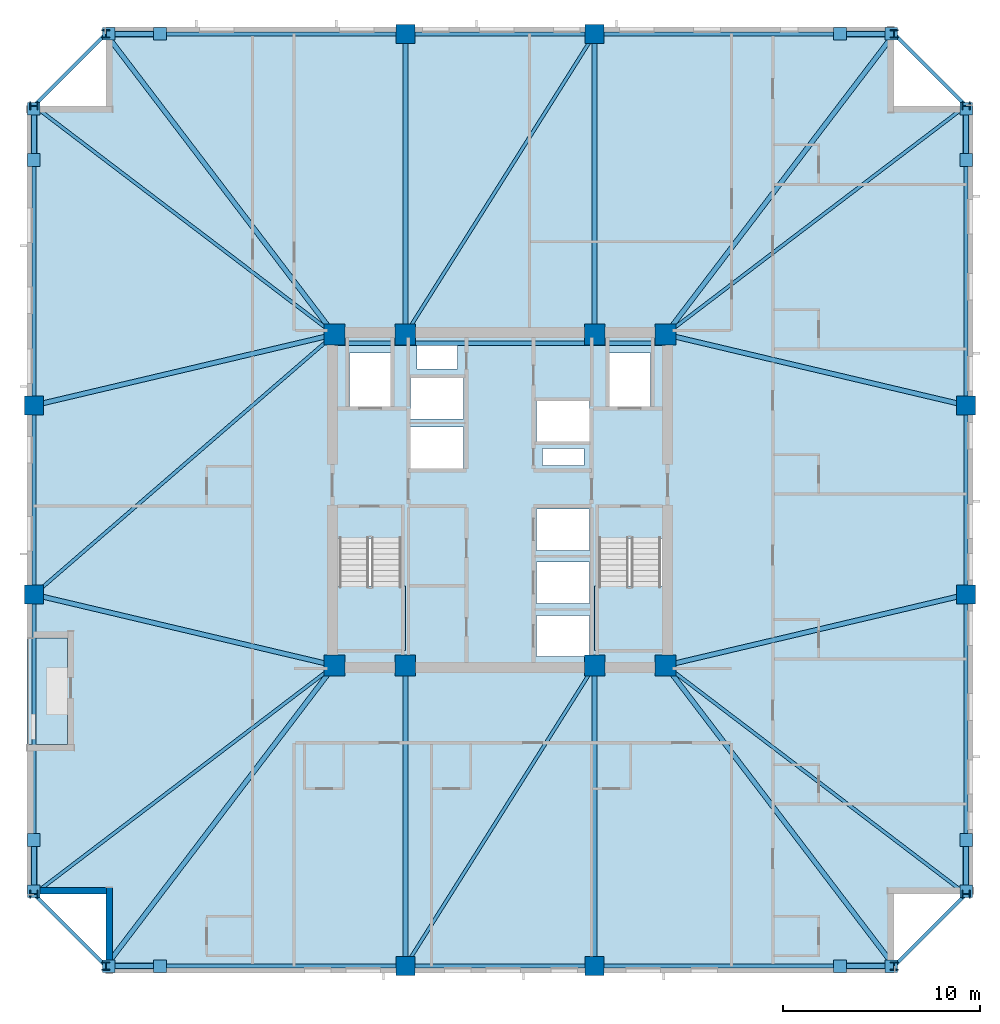
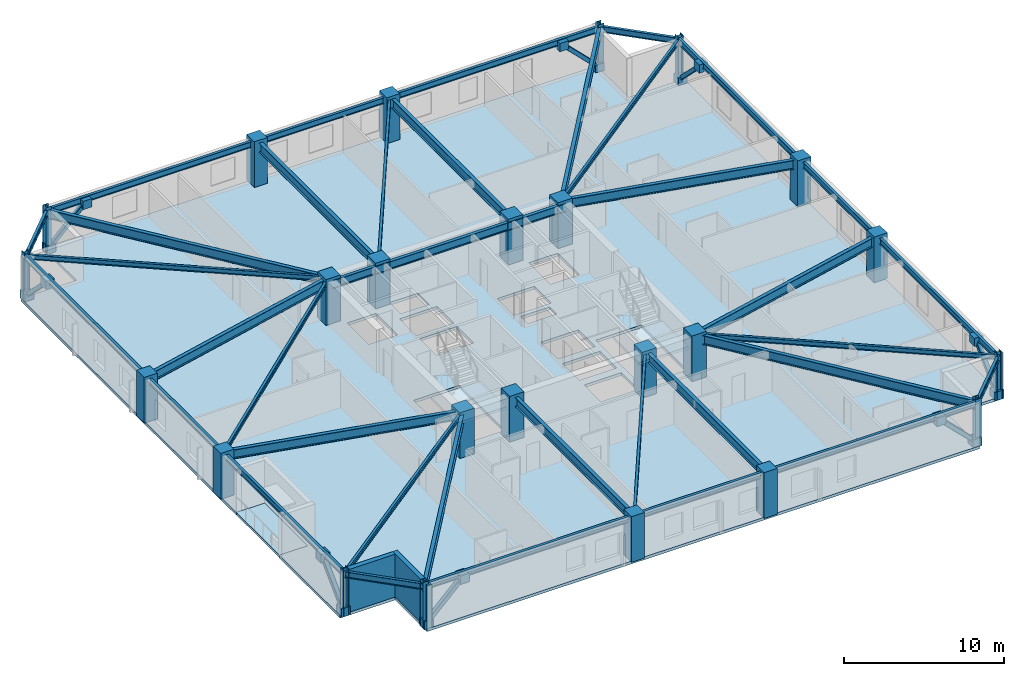
# One storey, part 1 of 11: 38 beams, 24 columns, 16 plates, 8 members, 4 slabs, 2 walls, 2 elements without a shape of their own.
"""IFC4 building model written with IfcOpenShell, lengths in metres."""

from ifc_helpers import new_model, si_unit, direction, frame, frame_2d, origin, origin_2d, place, context, subcontext, project, spatial, polyline, rectangle, hollow_rectangle, i_section, outline, extrude, material, layer, layer_set, material_profile, profile_set, type_object, element, aggregate, save


model = new_model("IFC4")

# Units and contexts
model_context = context("Model", 3, precision=1e-05, world=origin(), true_north=direction((0.0, 1.0)))
body_context = subcontext(model_context, "Body", "Model", "MODEL_VIEW")
ifc_project = project(units=[si_unit("LENGTHUNIT", "METRE"), si_unit("AREAUNIT", "SQUARE_METRE"), si_unit("VOLUMEUNIT", "CUBIC_METRE"), si_unit("PLANEANGLEUNIT", "RADIAN"), si_unit("MASSUNIT", "GRAM", prefix="KILO")], contexts=[model_context])

# Site, building, storey
site_placement = place(None, origin())
site = spatial("IfcSite", under=ifc_project, at=site_placement, CompositionType="ELEMENT")
building_placement = place(site_placement, origin())
building = spatial("IfcBuilding", under=site, at=building_placement, Name="Cairnveth Concourse Tower", CompositionType="ELEMENT")
storey_placement = place(building_placement, frame((0.0, 0.0, 130.5)))
storey = spatial("IfcBuildingStorey", under=building, at=storey_placement, Name="L35", CompositionType="ELEMENT", Elevation=130.5)

# Columns
ifc_material_1 = material(Name="Concrete N65 (65 MPa)", Category="concrete")
ifc_material_profile_1 = material_profile(ifc_material_1, rectangle(XDim=1.050048828125, YDim=1.050048828125, at=origin_2d()), Name="RC-COL-1050x1050")
ifc_profile_set_1 = profile_set([ifc_material_profile_1], Name="Concrete N65 (65 MPa)")
column_type_1 = type_object("IfcColumnType", Name="CORE COLUMN 1050X1050", PredefinedType="COLUMN", material=ifc_profile_set_1)
for number, where, z_axis, x_axis, name in (
    (1, (43.60009765625, 30.60009765625, 0.0), (0.0, 0.0, 1.0), (1.0, 0.0, 0.0), "Column CC1 L35"),
    (2, (47.199951171875, 30.60009765625, 0.0), (0.0, 0.0, 1.0), (1.0, 0.0, 0.0), "Column CC2 L35"),
    (3, (56.800048828125, 30.60009765625, 0.0), (0.0, 0.0, 1.0), (1.0, 0.0, 0.0), "Column CC3 L35"),
    (4, (60.39990234375, 30.60009765625, 0.0), (0.0, 0.0, 1.0), (1.0, 0.0, 0.0), "Column CC4 L35"),
    (5, (43.60009765625, 47.39990234375, 0.0), (0.0, 0.0, 1.0), (1.0, 0.0, 0.0), "Column CC5 L35"),
    (6, (47.199951171875, 47.39990234375, 0.0), (0.0, 0.0, 1.0), (1.0, 0.0, 0.0), "Column CC6 L35"),
    (7, (56.800048828125, 47.39990234375, 0.0), (0.0, 0.0, 1.0), (1.0, 0.0, 0.0), "Column CC7 L35"),
    (8, (60.39990234375, 47.39990234375, 0.0), (0.0, 0.0, 1.0), (1.0, 0.0, 0.0), "Column CC8 L35"),
):
    element("IfcColumn", number, at=place(storey_placement, frame(where, z_axis=z_axis, x_axis=x_axis)), inside=storey, type_object=column_type_1, Name=name, PredefinedType="COLUMN", context=body_context, shape_type="SweptSolid", body=[
        extrude(rectangle(XDim=1.050048828125, YDim=1.050048828125, at=origin_2d()), origin(), (0.0, 0.0, 1.0), 3.5),
    ])
ifc_material_profile_2 = material_profile(ifc_material_1, rectangle(XDim=0.949951171875, YDim=0.949951171875, at=origin_2d()), Name="RC-COL-950x950")
ifc_profile_set_2 = profile_set([ifc_material_profile_2], Name="Concrete N65 (65 MPa)")
column_type_2 = type_object("IfcColumnType", Name="PERIMETER PIER COLUMN 950X950", PredefinedType="COLUMN", material=ifc_profile_set_2)
for number, where, z_axis, x_axis, name in (
    (9, (47.199951171875, 15.35009765625, 0.0), (0.0, 0.0, 1.0), (1.0, 0.0, 0.0), "Column P-S2 L35"),
    (10, (56.800048828125, 15.35009765625, 0.0), (0.0, 0.0, 1.0), (1.0, 0.0, 0.0), "Column P-S3 L35"),
    (11, (75.64990234375, 34.199951171875, 0.0), (0.0, 0.0, 1.0), (0.0, 1.0, 0.0), "Column P-E2 L35"),
    (12, (75.64990234375, 43.800048828125, 0.0), (0.0, 0.0, 1.0), (0.0, 1.0, 0.0), "Column P-E3 L35"),
    (13, (56.800048828125, 62.64990234375, 0.0), (0.0, 0.0, 1.0), (1.0, 0.0, 0.0), "Column P-N2 L35"),
    (14, (47.199951171875, 62.64990234375, 0.0), (0.0, 0.0, 1.0), (1.0, 0.0, 0.0), "Column P-N3 L35"),
    (15, (28.35009765625, 43.800048828125, 0.0), (0.0, 0.0, 1.0), (0.0, 1.0, 0.0), "Column P-W2 L35"),
    (16, (28.35009765625, 34.199951171875, 0.0), (0.0, 0.0, 1.0), (0.0, 1.0, 0.0), "Column P-W3 L35"),
):
    element("IfcColumn", number, at=place(storey_placement, frame(where, z_axis=z_axis, x_axis=x_axis)), inside=storey, type_object=column_type_2, Name=name, PredefinedType="COLUMN", context=body_context, shape_type="SweptSolid", body=[
        extrude(rectangle(XDim=0.949951171875, YDim=0.949951171875, at=origin_2d()), origin(), (0.0, 0.0, 1.0), 3.5),
    ])
ifc_material_2 = material(Name="Steel Grade 350", Category="steel")
ifc_material_profile_3 = material_profile(ifc_material_2, i_section(OverallWidth=0.39990234375, OverallDepth=0.39990234375, WebThickness=0.02197265625, FlangeThickness=0.035888671875, at=origin_2d()), Name="400WC270")
ifc_profile_set_3 = profile_set([ifc_material_profile_3], Name="Steel Grade 350")
column_type_3 = type_object("IfcColumnType", Name="WELDED STEEL COLUMN 400WC270", PredefinedType="COLUMN", material=ifc_profile_set_3)
for number, where, z_axis, x_axis, name in (
    (17, (32.0, 15.35009765625, 0.0), (0.0, 0.0, 1.0), (1.0, 0.0, 0.0), "Column P-S1 L35"),
    (18, (72.0, 15.35009765625, 0.0), (0.0, 0.0, 1.0), (1.0, 0.0, 0.0), "Column P-S4 L35"),
    (19, (75.64990234375, 19.0, 0.0), (0.0, 0.0, 1.0), (0.0, 1.0, 0.0), "Column P-E1 L35"),
    (20, (75.64990234375, 59.0, 0.0), (0.0, 0.0, 1.0), (0.0, 1.0, 0.0), "Column P-E4 L35"),
    (21, (72.0, 62.64990234375, 0.0), (0.0, 0.0, 1.0), (1.0, 0.0, 0.0), "Column P-N1 L35"),
    (22, (32.0, 62.64990234375, 0.0), (0.0, 0.0, 1.0), (1.0, 0.0, 0.0), "Column P-N4 L35"),
    (23, (28.35009765625, 59.0, 0.0), (0.0, 0.0, 1.0), (0.0, 1.0, 0.0), "Column P-W1 L35"),
    (24, (28.35009765625, 19.0, 0.0), (0.0, 0.0, 1.0), (0.0, 1.0, 0.0), "Column P-W4 L35"),
):
    element("IfcColumn", number, at=place(storey_placement, frame(where, z_axis=z_axis, x_axis=x_axis)), inside=storey, type_object=column_type_3, Name=name, PredefinedType="COLUMN", context=body_context, shape_type="SweptSolid", body=[
        extrude(i_section(OverallWidth=0.39990234375, OverallDepth=0.39990234375, WebThickness=0.02197265625, FlangeThickness=0.035888671875, at=origin_2d()), origin(), (0.0, 0.0, 1.0), 3.5),
    ])

# Beams
ifc_material_profile_4 = material_profile(ifc_material_2, i_section(OverallWidth=0.22802734375, OverallDepth=0.60693359375, WebThickness=0.01123046875, FlangeThickness=0.017333984375, FilletRadius=0.013916015625, at=origin_2d()), Name="610UB113")
ifc_profile_set_4 = profile_set([ifc_material_profile_4], Name="Steel Grade 350")
beam_type_1 = type_object("IfcBeamType", Name="CORE TIE BEAM 610UB113", PredefinedType="T_BEAM", material=ifc_profile_set_4)
for number, where, z_axis, x_axis, name in (
    (25, (43.60009765625, 46.949951171875, 2.9765625), (1.0, 0.0, 0.0), (0.0, 1.0, 0.0), "Beam CT-N1 L35"),
    (26, (56.800048828125, 46.949951171875, 2.9765625), (1.0, 0.0, 0.0), (0.0, 1.0, 0.0), "Beam CT-N3 L35"),
):
    element("IfcBeam", number, at=place(storey_placement, frame(where, z_axis=z_axis, x_axis=x_axis)), inside=storey, type_object=beam_type_1, Name=name, PredefinedType="T_BEAM", context=body_context, shape_type="SweptSolid", body=[
        extrude(i_section(OverallWidth=0.22802734375, OverallDepth=0.60693359375, WebThickness=0.01123046875, FlangeThickness=0.017333984375, FilletRadius=0.013916015625, at=origin_2d()), origin(), (0.0, 0.0, 1.0), 3.599853515625),
    ])
beam_1_placement = place(storey_placement, frame((47.199951171875, 46.949951171875, 2.9765625), z_axis=(1.0, 0.0, 0.0), x_axis=(0.0, 1.0, 0.0)))
element("IfcBeam", 27, at=beam_1_placement, inside=storey, type_object=beam_type_1, Name="Beam CT-N2 L35", PredefinedType="T_BEAM", context=body_context, shape_type="SweptSolid", body=[
    extrude(i_section(OverallWidth=0.22802734375, OverallDepth=0.60693359375, WebThickness=0.01123046875, FlangeThickness=0.017333984375, FilletRadius=0.013916015625, at=origin_2d()), origin(), (0.0, 0.0, 1.0), 9.60009765625),
])
ifc_material_profile_5 = material_profile(ifc_material_2, i_section(OverallWidth=0.172119140625, OverallDepth=0.35888671875, WebThickness=0.008056640625, FlangeThickness=0.012939453125, FilletRadius=0.010986328125, at=origin_2d()), Name="360UB56.7")
ifc_profile_set_5 = profile_set([ifc_material_profile_5], Name="Steel Grade 350")
beam_type_2 = type_object("IfcBeamType", Name="ZONE 2 FLOOR JOIST 360UB56.7", PredefinedType="JOIST", material=ifc_profile_set_5)
for number, where, z_axis, x_axis, name in (
    (28, (28.35009765625, 19.0, 3.1005859375), (0.795908242904, 0.6054172684, 0.0), (-0.6054172684, 0.795908242904, 0.0), "Beam FJ-CSW2 L35"),
    (29, (75.64990234375, 19.0, 3.1005859375), (-0.795908242904, 0.6054172684, 0.0), (-0.6054172684, -0.795908242904, 0.0), "Beam FJ-CSE2 L35"),
    (30, (75.64990234375, 59.0, 3.1005859375), (-0.795908242904, -0.6054172684, 0.0), (0.6054172684, -0.795908242904, 0.0), "Beam FJ-CNE2 L35"),
    (31, (28.35009765625, 59.0, 3.1005859375), (0.795908242904, -0.6054172684, 0.0), (0.6054172684, 0.795908242904, 0.0), "Beam FJ-CNW2 L35"),
):
    element("IfcBeam", number, at=place(storey_placement, frame(where, z_axis=z_axis, x_axis=x_axis)), inside=storey, type_object=beam_type_2, Name=name, PredefinedType="JOIST", context=body_context, shape_type="SweptSolid", body=[
        extrude(i_section(OverallWidth=0.172119140625, OverallDepth=0.35888671875, WebThickness=0.008056640625, FlangeThickness=0.012939453125, FilletRadius=0.010986328125, at=origin_2d()), origin(), (0.0, 0.0, 1.0), 19.160400390625),
    ])
for number, where, z_axis, x_axis, name in (
    (32, (47.199951171875, 15.35009765625, 3.1005859375), (0.532743557037, 0.84627672923, 0.0), (-0.84627672923, 0.532743557037, 0.0), "Beam FJ-S-M1 L35"),
    (33, (47.199951171875, 47.39990234375, 3.1005859375), (0.532743557037, 0.84627672923, 0.0), (-0.84627672923, 0.532743557037, 0.0), "Beam FJ-N-M1 L35"),
):
    element("IfcBeam", number, at=place(storey_placement, frame(where, z_axis=z_axis, x_axis=x_axis)), inside=storey, type_object=beam_type_2, Name=name, PredefinedType="JOIST", context=body_context, shape_type="SweptSolid", body=[
        extrude(i_section(OverallWidth=0.172119140625, OverallDepth=0.35888671875, WebThickness=0.008056640625, FlangeThickness=0.012939453125, FilletRadius=0.010986328125, at=origin_2d()), origin(), (0.0, 0.0, 1.0), 18.02001953125),
    ])
beam_2_placement = place(storey_placement, frame((28.35009765625, 34.199951171875, 3.1005859375), z_axis=(0.756099107057, 0.654457134049, 0.0), x_axis=(-0.654457134049, 0.756099107057, 0.0)))
element("IfcBeam", 34, at=beam_2_placement, inside=storey, type_object=beam_type_2, Name="Beam FJ-W-M1 L35", PredefinedType="JOIST", context=body_context, shape_type="SweptSolid", body=[
    extrude(i_section(OverallWidth=0.172119140625, OverallDepth=0.35888671875, WebThickness=0.008056640625, FlangeThickness=0.012939453125, FilletRadius=0.010986328125, at=origin_2d()), origin(), (0.0, 0.0, 1.0), 20.16943359375),
])

# Members
ifc_material_3 = material(Name="Steel C350L0 (350 MPa)", Category="steel")
ifc_material_profile_6 = material_profile(ifc_material_3, hollow_rectangle(XDim=0.300048828125, YDim=0.300048828125, WallThickness=0.01611328125, InnerFilletRadius=0.01611328125, OuterFilletRadius=0.031982421875, at=origin_2d()), Name="300x300x16.0SHS")
ifc_profile_set_6 = profile_set([ifc_material_profile_6], Name="Steel C350L0 (350 MPa)")
member_type = type_object("IfcMemberType", Name="ZONE 2 PIER BRACE 300X300X16SHS", PredefinedType="BRACE", material=ifc_profile_set_6)
for number, where, z_axis, x_axis, name in (
    (35, (32.14990234375, 15.35009765625, 0.25), (0.709834195787, 0.0, 0.704368805735), (0.0, 1.0, 0.0), "Structural Brace PB-S1 L35"),
    (36, (71.85009765625, 15.35009765625, 0.25), (-0.709834195787, 0.0, 0.704368805735), (0.0, -1.0, 0.0), "Structural Brace PB-S2 L35"),
    (37, (32.14990234375, 62.64990234375, 0.25), (0.709834195787, 0.0, 0.704368805735), (0.0, 1.0, 0.0), "Structural Brace PB-N1 L35"),
    (38, (71.85009765625, 62.64990234375, 0.25), (-0.709834195787, 0.0, 0.704368805735), (0.0, -1.0, 0.0), "Structural Brace PB-N2 L35"),
    (39, (28.35009765625, 19.14990234375, 0.25), (0.0, 0.709834195787, 0.704368805735), (-1.0, 0.0, 0.0), "Structural Brace PB-W1 L35"),
    (40, (28.35009765625, 58.85009765625, 0.25), (0.0, -0.709834195787, 0.704368805735), (1.0, 0.0, 0.0), "Structural Brace PB-W2 L35"),
    (41, (75.64990234375, 19.14990234375, 0.25), (0.0, 0.709834195787, 0.704368805735), (-1.0, 0.0, 0.0), "Structural Brace PB-E1 L35"),
    (42, (75.64990234375, 58.85009765625, 0.25), (0.0, -0.709834195787, 0.704368805735), (1.0, 0.0, 0.0), "Structural Brace PB-E2 L35"),
):
    element("IfcMember", number, at=place(storey_placement, frame(where, z_axis=z_axis, x_axis=x_axis)), inside=storey, type_object=member_type, Name=name, PredefinedType="BRACE", context=body_context, shape_type="SweptSolid", body=[
        extrude(hollow_rectangle(XDim=0.300048828125, YDim=0.300048828125, WallThickness=0.01611328125, InnerFilletRadius=0.01611328125, OuterFilletRadius=0.031982421875, at=origin_2d()), origin(), (0.0, 0.0, 1.0), 3.6630859375),
    ])

# Beams
ifc_material_profile_7 = material_profile(ifc_material_2, i_section(OverallWidth=0.25, OverallDepth=0.699951171875, WebThickness=0.011962890625, FlangeThickness=0.028076171875, at=origin_2d()), Name="700WB173")
ifc_profile_set_7 = profile_set([ifc_material_profile_7], Name="Steel Grade 350")
beam_type_3 = type_object("IfcBeamType", Name="ZONE 2 RADIAL GIRDER 700WB173", PredefinedType="BEAM", material=ifc_profile_set_7)
for number, where, z_axis, x_axis, name in (
    (43, (47.199951171875, 15.35009765625, 2.929931640625), (0.0, 1.0, 0.0), (-1.0, 0.0, 0.0), "Beam RG-S1 L35"),
    (44, (56.800048828125, 15.35009765625, 2.929931640625), (0.0, 1.0, 0.0), (-1.0, 0.0, 0.0), "Beam RG-S2 L35"),
    (45, (47.199951171875, 47.39990234375, 2.929931640625), (0.0, 1.0, 0.0), (-1.0, 0.0, 0.0), "Beam RG-N1 L35"),
    (46, (56.800048828125, 47.39990234375, 2.929931640625), (0.0, 1.0, 0.0), (-1.0, 0.0, 0.0), "Beam RG-N2 L35"),
):
    element("IfcBeam", number, at=place(storey_placement, frame(where, z_axis=z_axis, x_axis=x_axis)), inside=storey, type_object=beam_type_3, Name=name, PredefinedType="BEAM", context=body_context, shape_type="SweptSolid", body=[
        extrude(i_section(OverallWidth=0.25, OverallDepth=0.699951171875, WebThickness=0.011962890625, FlangeThickness=0.028076171875, at=origin_2d()), origin(), (0.0, 0.0, 1.0), 15.25),
    ])
for number, where, z_axis, x_axis, name in (
    (47, (28.35009765625, 34.199951171875, 2.929931640625), (0.973251602929, -0.229741849468, 0.0), (0.229741849468, 0.973251602929, 0.0), "Beam RG-W1 L35"),
    (48, (28.35009765625, 43.800048828125, 2.929931640625), (0.973251602929, 0.229741849468, 0.0), (-0.229741849468, 0.973251602929, 0.0), "Beam RG-W2 L35"),
    (49, (60.39990234375, 30.60009765625, 2.929931640625), (0.973251602929, 0.229741849468, 0.0), (-0.229741849468, 0.973251602929, 0.0), "Beam RG-E1 L35"),
    (50, (60.39990234375, 47.39990234375, 2.929931640625), (0.973251602929, -0.229741849468, 0.0), (0.229741849468, 0.973251602929, 0.0), "Beam RG-E2 L35"),
):
    element("IfcBeam", number, at=place(storey_placement, frame(where, z_axis=z_axis, x_axis=x_axis)), inside=storey, type_object=beam_type_3, Name=name, PredefinedType="BEAM", context=body_context, shape_type="SweptSolid", body=[
        extrude(i_section(OverallWidth=0.25, OverallDepth=0.699951171875, WebThickness=0.011962890625, FlangeThickness=0.028076171875, at=origin_2d()), origin(), (0.0, 0.0, 1.0), 15.669189453125),
    ])
for number, where, z_axis, x_axis, name in (
    (51, (32.0, 15.35009765625, 2.929931640625), (0.6054172684, 0.795908242904, 0.0), (-0.795908242904, 0.6054172684, 0.0), "Beam RG-CSW L35"),
    (52, (72.0, 15.35009765625, 2.929931640625), (-0.6054172684, 0.795908242904, 0.0), (-0.795908242904, -0.6054172684, 0.0), "Beam RG-CSE L35"),
    (53, (72.0, 62.64990234375, 2.929931640625), (-0.6054172684, -0.795908242904, 0.0), (0.795908242904, -0.6054172684, 0.0), "Beam RG-CNE L35"),
    (54, (32.0, 62.64990234375, 2.929931640625), (0.6054172684, -0.795908242904, 0.0), (0.795908242904, 0.6054172684, 0.0), "Beam RG-CNW L35"),
):
    element("IfcBeam", number, at=place(storey_placement, frame(where, z_axis=z_axis, x_axis=x_axis)), inside=storey, type_object=beam_type_3, Name=name, PredefinedType="BEAM", context=body_context, shape_type="SweptSolid", body=[
        extrude(i_section(OverallWidth=0.25, OverallDepth=0.699951171875, WebThickness=0.011962890625, FlangeThickness=0.028076171875, at=origin_2d()), origin(), (0.0, 0.0, 1.0), 19.160400390625),
    ])
ifc_material_profile_8 = material_profile(ifc_material_2, i_section(OverallWidth=0.18994140625, OverallDepth=0.45703125, WebThickness=0.009033203125, FlangeThickness=0.014404296875, FilletRadius=0.010986328125, at=origin_2d()), Name="460UB74.6")
ifc_profile_set_8 = profile_set([ifc_material_profile_8], Name="Steel Grade 350")
beam_type_4 = type_object("IfcBeamType", Name="ZONE 2 SPANDREL BEAM 460UB74.6", PredefinedType="SPANDREL", material=ifc_profile_set_8)
beam_3_placement = place(storey_placement, frame((32.0, 15.35009765625, 3.051513671875), z_axis=(1.0, 0.0, 0.0), x_axis=(0.0, 1.0, 0.0)))
element("IfcBeam", 55, at=beam_3_placement, inside=storey, type_object=beam_type_4, Name="Beam SP-S1 L35", PredefinedType="SPANDREL", context=body_context, shape_type="SweptSolid", body=[
    extrude(i_section(OverallWidth=0.18994140625, OverallDepth=0.45703125, WebThickness=0.009033203125, FlangeThickness=0.014404296875, FilletRadius=0.010986328125, at=origin_2d()), origin(), (0.0, 0.0, 1.0), 15.199951171875),
])
beam_4_placement = place(storey_placement, frame((47.199951171875, 15.35009765625, 3.051513671875), z_axis=(1.0, 0.0, 0.0), x_axis=(0.0, 1.0, 0.0)))
element("IfcBeam", 56, at=beam_4_placement, inside=storey, type_object=beam_type_4, Name="Beam SP-S2 L35", PredefinedType="SPANDREL", context=body_context, shape_type="SweptSolid", body=[
    extrude(i_section(OverallWidth=0.18994140625, OverallDepth=0.45703125, WebThickness=0.009033203125, FlangeThickness=0.014404296875, FilletRadius=0.010986328125, at=origin_2d()), origin(), (0.0, 0.0, 1.0), 9.60009765625),
])
for number, where, z_axis, x_axis, name in (
    (57, (56.800048828125, 15.35009765625, 3.051513671875), (1.0, 0.0, 0.0), (0.0, 1.0, 0.0), "Beam SP-S3 L35"),
    (58, (32.0, 62.64990234375, 3.051513671875), (1.0, 0.0, 0.0), (0.0, 1.0, 0.0), "Beam SP-N1 L35"),
):
    element("IfcBeam", number, at=place(storey_placement, frame(where, z_axis=z_axis, x_axis=x_axis)), inside=storey, type_object=beam_type_4, Name=name, PredefinedType="SPANDREL", context=body_context, shape_type="SweptSolid", body=[
        extrude(i_section(OverallWidth=0.18994140625, OverallDepth=0.45703125, WebThickness=0.009033203125, FlangeThickness=0.014404296875, FilletRadius=0.010986328125, at=origin_2d()), origin(), (0.0, 0.0, 1.0), 15.199951171875),
    ])
beam_5_placement = place(storey_placement, frame((47.199951171875, 62.64990234375, 3.051513671875), z_axis=(1.0, 0.0, 0.0), x_axis=(0.0, 1.0, 0.0)))
element("IfcBeam", 59, at=beam_5_placement, inside=storey, type_object=beam_type_4, Name="Beam SP-N2 L35", PredefinedType="SPANDREL", context=body_context, shape_type="SweptSolid", body=[
    extrude(i_section(OverallWidth=0.18994140625, OverallDepth=0.45703125, WebThickness=0.009033203125, FlangeThickness=0.014404296875, FilletRadius=0.010986328125, at=origin_2d()), origin(), (0.0, 0.0, 1.0), 9.60009765625),
])
for number, where, z_axis, x_axis, name in (
    (60, (56.800048828125, 62.64990234375, 3.051513671875), (1.0, 0.0, 0.0), (0.0, 1.0, 0.0), "Beam SP-N3 L35"),
    (61, (28.35009765625, 19.0, 3.051513671875), (0.0, 1.0, 0.0), (-1.0, 0.0, 0.0), "Beam SP-W1 L35"),
):
    element("IfcBeam", number, at=place(storey_placement, frame(where, z_axis=z_axis, x_axis=x_axis)), inside=storey, type_object=beam_type_4, Name=name, PredefinedType="SPANDREL", context=body_context, shape_type="SweptSolid", body=[
        extrude(i_section(OverallWidth=0.18994140625, OverallDepth=0.45703125, WebThickness=0.009033203125, FlangeThickness=0.014404296875, FilletRadius=0.010986328125, at=origin_2d()), origin(), (0.0, 0.0, 1.0), 15.199951171875),
    ])
beam_6_placement = place(storey_placement, frame((28.35009765625, 34.199951171875, 3.051513671875), z_axis=(0.0, 1.0, 0.0), x_axis=(-1.0, 0.0, 0.0)))
element("IfcBeam", 62, at=beam_6_placement, inside=storey, type_object=beam_type_4, Name="Beam SP-W2 L35", PredefinedType="SPANDREL", context=body_context, shape_type="SweptSolid", body=[
    extrude(i_section(OverallWidth=0.18994140625, OverallDepth=0.45703125, WebThickness=0.009033203125, FlangeThickness=0.014404296875, FilletRadius=0.010986328125, at=origin_2d()), origin(), (0.0, 0.0, 1.0), 9.60009765625),
])
for number, where, z_axis, x_axis, name in (
    (63, (28.35009765625, 43.800048828125, 3.051513671875), (0.0, 1.0, 0.0), (-1.0, 0.0, 0.0), "Beam SP-W3 L35"),
    (64, (75.64990234375, 19.0, 3.051513671875), (0.0, 1.0, 0.0), (-1.0, 0.0, 0.0), "Beam SP-E1 L35"),
):
    element("IfcBeam", number, at=place(storey_placement, frame(where, z_axis=z_axis, x_axis=x_axis)), inside=storey, type_object=beam_type_4, Name=name, PredefinedType="SPANDREL", context=body_context, shape_type="SweptSolid", body=[
        extrude(i_section(OverallWidth=0.18994140625, OverallDepth=0.45703125, WebThickness=0.009033203125, FlangeThickness=0.014404296875, FilletRadius=0.010986328125, at=origin_2d()), origin(), (0.0, 0.0, 1.0), 15.199951171875),
    ])
beam_7_placement = place(storey_placement, frame((75.64990234375, 34.199951171875, 3.051513671875), z_axis=(0.0, 1.0, 0.0), x_axis=(-1.0, 0.0, 0.0)))
element("IfcBeam", 65, at=beam_7_placement, inside=storey, type_object=beam_type_4, Name="Beam SP-E2 L35", PredefinedType="SPANDREL", context=body_context, shape_type="SweptSolid", body=[
    extrude(i_section(OverallWidth=0.18994140625, OverallDepth=0.45703125, WebThickness=0.009033203125, FlangeThickness=0.014404296875, FilletRadius=0.010986328125, at=origin_2d()), origin(), (0.0, 0.0, 1.0), 9.60009765625),
])
beam_8_placement = place(storey_placement, frame((75.64990234375, 43.800048828125, 3.051513671875), z_axis=(0.0, 1.0, 0.0), x_axis=(-1.0, 0.0, 0.0)))
element("IfcBeam", 66, at=beam_8_placement, inside=storey, type_object=beam_type_4, Name="Beam SP-E3 L35", PredefinedType="SPANDREL", context=body_context, shape_type="SweptSolid", body=[
    extrude(i_section(OverallWidth=0.18994140625, OverallDepth=0.45703125, WebThickness=0.009033203125, FlangeThickness=0.014404296875, FilletRadius=0.010986328125, at=origin_2d()), origin(), (0.0, 0.0, 1.0), 15.199951171875),
])
for number, where, z_axis, x_axis, name in (
    (67, (28.35009765625, 19.0, 3.051513671875), (0.707106781187, -0.707106781187, 0.0), (0.707106781187, 0.707106781187, 0.0), "Beam SP-SW L35"),
    (68, (72.0, 15.35009765625, 3.051513671875), (0.707106781187, 0.707106781187, 0.0), (-0.707106781187, 0.707106781187, 0.0), "Beam SP-SE L35"),
    (69, (72.0, 62.64990234375, 3.051513671875), (0.707106781187, -0.707106781187, 0.0), (0.707106781187, 0.707106781187, 0.0), "Beam SP-NE L35"),
    (70, (28.35009765625, 59.0, 3.051513671875), (0.707106781187, 0.707106781187, 0.0), (-0.707106781187, 0.707106781187, 0.0), "Beam SP-NW L35"),
):
    element("IfcBeam", number, at=place(storey_placement, frame(where, z_axis=z_axis, x_axis=x_axis)), inside=storey, type_object=beam_type_4, Name=name, PredefinedType="SPANDREL", context=body_context, shape_type="SweptSolid", body=[
        extrude(i_section(OverallWidth=0.18994140625, OverallDepth=0.45703125, WebThickness=0.009033203125, FlangeThickness=0.014404296875, FilletRadius=0.010986328125, at=origin_2d()), origin(), (0.0, 0.0, 1.0), 5.16162109375),
    ])

# Slab
ifc_material_4 = material(Name="Concrete N50 (50 MPa)", Category="concrete")
ifc_layer_1 = layer(ifc_material_4, 0.219970703125)
ifc_layer_set_1 = layer_set([ifc_layer_1], Name="Concrete N50 (50 MPa)")
slab_type_1 = type_object("IfcSlabType", Name="LOWER TOWER COMPOSITE SLAB 220", PredefinedType="FLOOR", material=ifc_layer_set_1)
slab_1_placement = place(storey_placement, frame((0.0, 0.0, -0.219970703125)))
element("IfcSlab", 71, at=slab_1_placement, inside=storey, type_object=slab_type_1, Name="Tower Floor Slab L35", PredefinedType="FLOOR", context=body_context, shape_type="SweptSolid", body=[
    extrude(outline(polyline([(28.0, 32.0), (30.050048828125, 32.0), (30.050048828125, 26.60009765625), (28.0, 26.60009765625), (28.0, 19.0), (32.0, 19.0), (32.0, 15.0), (72.0, 15.0), (72.0, 19.0), (76.0, 19.0), (76.0, 59.0), (72.0, 59.0), (72.0, 63.0), (32.0, 63.0), (32.0, 59.0), (28.0, 59.0), (28.0, 32.0)]), holes=[polyline([(43.760009765625, 31.360107421875), (47.06005859375, 31.360107421875), (47.06005859375, 37.0400390625), (43.760009765625, 37.0400390625), (43.760009765625, 31.360107421875)]), polyline([(56.93994140625, 31.360107421875), (60.239990234375, 31.360107421875), (60.239990234375, 37.0400390625), (56.93994140625, 37.0400390625), (56.93994140625, 31.360107421875)]), polyline([(44.3701171875, 43.75), (46.469970703125, 43.75), (46.469970703125, 46.449951171875), (44.3701171875, 46.449951171875), (44.3701171875, 43.75)]), polyline([(57.530029296875, 43.75), (59.6298828125, 43.75), (59.6298828125, 46.449951171875), (57.530029296875, 46.449951171875), (57.530029296875, 43.75)]), polyline([(53.85009765625, 31.050048828125), (56.550048828125, 31.050048828125), (56.550048828125, 33.14990234375), (53.85009765625, 33.14990234375), (53.85009765625, 31.050048828125)]), polyline([(53.85009765625, 33.75), (56.550048828125, 33.75), (56.550048828125, 35.85009765625), (53.85009765625, 35.85009765625), (53.85009765625, 33.75)]), polyline([(53.85009765625, 36.449951171875), (56.550048828125, 36.449951171875), (56.550048828125, 38.550048828125), (53.85009765625, 38.550048828125), (53.85009765625, 36.449951171875)]), polyline([(47.449951171875, 40.60009765625), (50.14990234375, 40.60009765625), (50.14990234375, 42.699951171875), (47.449951171875, 42.699951171875), (47.449951171875, 40.60009765625)]), polyline([(47.449951171875, 43.10009765625), (50.14990234375, 43.10009765625), (50.14990234375, 45.199951171875), (47.449951171875, 45.199951171875), (47.449951171875, 43.10009765625)]), polyline([(53.85009765625, 41.949951171875), (56.550048828125, 41.949951171875), (56.550048828125, 44.050048828125), (53.85009765625, 44.050048828125), (53.85009765625, 41.949951171875)]), polyline([(47.800048828125, 45.64990234375), (49.85009765625, 45.64990234375), (49.85009765625, 47.050048828125), (47.800048828125, 47.050048828125), (47.800048828125, 45.64990234375)]), polyline([(54.14990234375, 40.75), (56.25, 40.75), (56.25, 41.6201171875), (54.14990234375, 41.6201171875), (54.14990234375, 40.75)])]), origin(), (0.0, 0.0, 1.0), 0.219970703125),
])

# Plates
ifc_layer_2 = layer(ifc_material_2, 0.031982421875)
ifc_layer_set_2 = layer_set([ifc_layer_2], Name="Steel Grade 350")
plate_type = type_object("IfcPlateType", Name="PERIMETER BRACE GUSSET PLATE 32", PredefinedType="USERDEFINED", material=ifc_layer_set_2)
for number, where, z_axis, x_axis, name in (
    (72, (32.14990234375, 15.35009765625, -0.06982421875), (0.0, 0.0, 1.0), (1.0, 0.0, 0.0), "Structural Node Plate 0593 L35"),
    (73, (34.75, 15.35009765625, 2.51025390625), (0.0, 0.0, 1.0), (1.0, 0.0, 0.0), "Structural Node Plate 0594 L35"),
    (74, (71.85009765625, 15.35009765625, -0.06982421875), (0.0, 0.0, 1.0), (1.0, 0.0, 0.0), "Structural Node Plate 0595 L35"),
    (75, (69.25, 15.35009765625, 2.51025390625), (0.0, 0.0, 1.0), (1.0, 0.0, 0.0), "Structural Node Plate 0596 L35"),
    (76, (32.14990234375, 62.64990234375, -0.06982421875), (0.0, 0.0, 1.0), (1.0, 0.0, 0.0), "Structural Node Plate 0597 L35"),
    (77, (34.75, 62.64990234375, 2.51025390625), (0.0, 0.0, 1.0), (1.0, 0.0, 0.0), "Structural Node Plate 0598 L35"),
    (78, (71.85009765625, 62.64990234375, -0.06982421875), (0.0, 0.0, 1.0), (1.0, 0.0, 0.0), "Structural Node Plate 0599 L35"),
    (79, (69.25, 62.64990234375, 2.51025390625), (0.0, 0.0, 1.0), (1.0, 0.0, 0.0), "Structural Node Plate 0600 L35"),
    (80, (28.35009765625, 19.14990234375, -0.06982421875), (0.0, 0.0, 1.0), (1.0, 0.0, 0.0), "Structural Node Plate 0601 L35"),
    (81, (28.35009765625, 21.75, 2.51025390625), (0.0, 0.0, 1.0), (1.0, 0.0, 0.0), "Structural Node Plate 0602 L35"),
    (82, (28.35009765625, 58.85009765625, -0.06982421875), (0.0, 0.0, 1.0), (1.0, 0.0, 0.0), "Structural Node Plate 0603 L35"),
    (83, (28.35009765625, 56.25, 2.51025390625), (0.0, 0.0, 1.0), (1.0, 0.0, 0.0), "Structural Node Plate 0604 L35"),
    (84, (75.64990234375, 19.14990234375, -0.06982421875), (0.0, 0.0, 1.0), (1.0, 0.0, 0.0), "Structural Node Plate 0605 L35"),
    (85, (75.64990234375, 21.75, 2.51025390625), (0.0, 0.0, 1.0), (1.0, 0.0, 0.0), "Structural Node Plate 0606 L35"),
    (86, (75.64990234375, 58.85009765625, -0.06982421875), (0.0, 0.0, 1.0), (1.0, 0.0, 0.0), "Structural Node Plate 0607 L35"),
    (87, (75.64990234375, 56.25, 2.51025390625), (0.0, 0.0, 1.0), (1.0, 0.0, 0.0), "Structural Node Plate 0608 L35"),
):
    element("IfcPlate", number, at=place(storey_placement, frame(where, z_axis=z_axis, x_axis=x_axis)), inside=storey, type_object=plate_type, Name=name, ObjectType="GUSSET PLATE", PredefinedType="USERDEFINED", context=body_context, shape_type="SweptSolid", body=[
        extrude(rectangle(XDim=0.639892578125, YDim=0.639892578125, at=origin_2d()), origin(), (0.0, 0.0, 1.0), 0.639892578125),
    ])

# Slab
ifc_layer_3 = layer(ifc_material_4, 0.18994140625)
ifc_layer_set_3 = layer_set([ifc_layer_3], Name="Concrete N50 (50 MPa)")
slab_type_2 = type_object("IfcSlabType", Name="SPIRAL OUTDOOR TERRACE SLAB 190", PredefinedType="FLOOR", material=ifc_layer_set_3)
slab_2_placement = place(storey_placement, frame((0.0, 0.0, -0.18994140625)))
element("IfcSlab", 88, at=slab_2_placement, inside=storey, type_object=slab_type_2, Name="Spiral Terrace Slab L35", PredefinedType="FLOOR", context=body_context, shape_type="SweptSolid", body=[
    extrude(outline(polyline([(28.0, 26.60009765625), (30.050048828125, 26.60009765625), (30.050048828125, 32.0), (28.0, 32.0), (28.0, 26.60009765625)])), origin(), (0.0, 0.0, 1.0), 0.18994140625),
])

# Stair, slab
ifc_material_5 = material(Name="Precast concrete N50 (50 MPa)", Category="concrete")
stair_type = type_object("IfcStairType", Name="CORE DOG-LEG FIRE STAIR 1500", PredefinedType="HALF_TURN_STAIR", material=ifc_material_5)
stair_1_placement = place(storey_placement, origin())
stair_1 = element("IfcStair", 89, at=stair_1_placement, inside=storey, type_object=stair_type, Name="L35 Fire-Isolated Stair ST-1", PredefinedType="HALF_TURN_STAIR")
ifc_layer_4 = layer(ifc_material_4, 0.199951171875)
ifc_layer_set_4 = layer_set([ifc_layer_4], Name="Concrete N50 (50 MPa)")
slab_type_3 = type_object("IfcSlabType", Name="STAIR HALF LANDING SLAB 200", PredefinedType="LANDING", material=ifc_layer_set_4)
slab_3_placement = place(storey_placement, frame((0.0, 0.0, 1.550048828125)))
slab_3 = element("IfcSlab", 90, at=slab_3_placement, type_object=slab_type_3, Name="ST-1 landing 1", PredefinedType="LANDING", context=body_context, shape_type="SweptSolid", body=[
    extrude(outline(polyline([(43.6201171875, 34.639892578125), (43.6201171875, 31.3701171875), (47.199951171875, 31.3701171875), (47.199951171875, 34.639892578125), (43.6201171875, 34.639892578125)])), origin(), (0.0, 0.0, 1.0), 0.199951171875),
])
aggregate(stair_1, [slab_3])

stair_2_placement = place(storey_placement, origin())
stair_2 = element("IfcStair", 91, at=stair_2_placement, inside=storey, type_object=stair_type, Name="L35 Fire-Isolated Stair ST-2", PredefinedType="HALF_TURN_STAIR")
slab_4_placement = place(storey_placement, frame((0.0, 0.0, 1.550048828125)))
slab_4 = element("IfcSlab", 92, at=slab_4_placement, type_object=slab_type_3, Name="ST-2 landing 1", PredefinedType="LANDING", context=body_context, shape_type="SweptSolid", body=[
    extrude(outline(polyline([(56.800048828125, 34.639892578125), (56.800048828125, 31.3701171875), (60.3798828125, 31.3701171875), (60.3798828125, 34.639892578125), (56.800048828125, 34.639892578125)])), origin(), (0.0, 0.0, 1.0), 0.199951171875),
])
aggregate(stair_2, [slab_4])

# Walls
ifc_material_6 = material(Name="Hawthorn Red-Ochre Fired Clay Brick Masonry", Category="masonry")
ifc_layer_5 = layer(ifc_material_6, 0.340087890625)
ifc_layer_set_5 = layer_set([ifc_layer_5], Name="Hawthorn Red-Ochre Fired Clay Brick Masonry")
wall_type = type_object("IfcWallType", Name="ZONE 2 BRICK PIER SPANDREL WALL 340", PredefinedType="SOLIDWALL", material=ifc_layer_set_5)
wall_1_placement = place(storey_placement, frame((32.169921875, 15.0, 0.0), z_axis=(0.0, 0.0, 1.0), x_axis=(0.0, 1.0, 0.0)))
element("IfcWall", 93, at=wall_1_placement, inside=storey, type_object=wall_type, Name="Exterior Wall EW-L35-S10", PredefinedType="SOLIDWALL", context=body_context, shape_type="SweptSolid", body=[
    extrude(rectangle(XDim=4.340087890625, YDim=0.340087890625, at=frame_2d((2.169921875, 0.0))), origin(), (0.0, 0.0, 1.0), 3.280029296875),
])
wall_2_placement = place(storey_placement, frame((32.02197265625, 19.169921875, 0.0), z_axis=(0.0, 0.0, 1.0), x_axis=(-1.0, 0.0, 0.0)))
element("IfcWall", 94, at=wall_2_placement, inside=storey, type_object=wall_type, Name="Exterior Wall EW-L35-S11", PredefinedType="SOLIDWALL", context=body_context, shape_type="SweptSolid", body=[
    extrude(rectangle(XDim=3.703857421875, YDim=0.340087890625, at=frame_2d((1.85205078125, 0.0))), origin(), (0.0, 0.0, 1.0), 3.280029296875),
])

save(model, "model.ifc")
